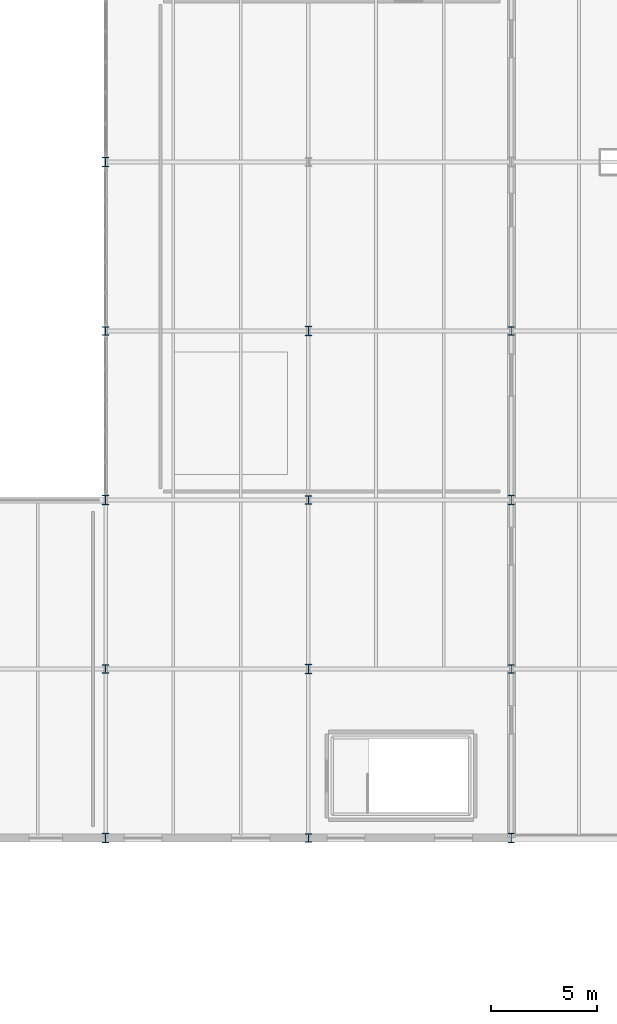
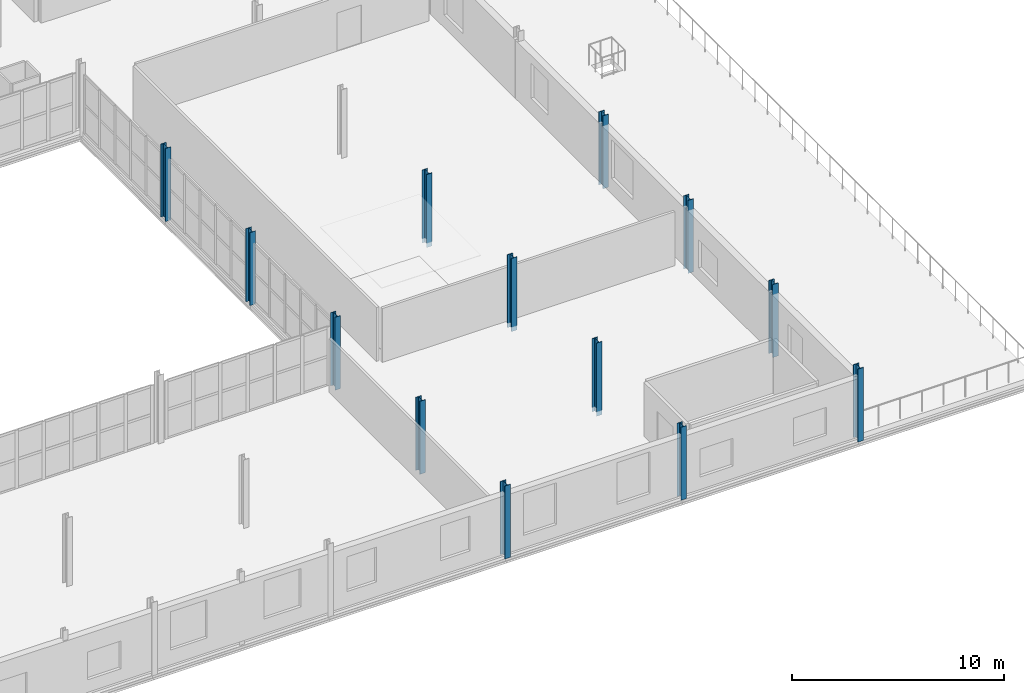
# One storey, part 20 of 85: 13 columns.
"""IFC4 building model written with IfcOpenShell, lengths in metres."""

from ifc_helpers import new_model, si_unit, direction, frame, origin, origin_2d, place, context, subcontext, project, spatial, i_section, extrude, material, material_profile, profile_set, type_object, element, save


model = new_model("IFC4")

# Units and contexts
model_context = context("Model", 3, precision=1e-05, world=origin(), true_north=direction((0.0, 1.0)))
body_context = subcontext(model_context, "Body", "Model", "MODEL_VIEW")
ifc_project = project(units=[si_unit("LENGTHUNIT", "METRE"), si_unit("AREAUNIT", "SQUARE_METRE"), si_unit("VOLUMEUNIT", "CUBIC_METRE"), si_unit("PLANEANGLEUNIT", "RADIAN"), si_unit("MASSUNIT", "GRAM", prefix="KILO")], contexts=[model_context])

# Site, building, storey
site_placement = place(None, origin())
site = spatial("IfcSite", under=ifc_project, at=site_placement, CompositionType="ELEMENT")
building_placement = place(site_placement, origin())
building = spatial("IfcBuilding", under=site, at=building_placement, Name="Alderhovde Museum", CompositionType="ELEMENT")
storey_placement = place(building_placement, frame((0.0, 0.0, 8.699951171875)))
storey = spatial("IfcBuildingStorey", under=building, at=storey_placement, Name="L02", CompositionType="ELEMENT", Elevation=8.699951171875)

# Columns
ifc_material_1 = material(Name="Steel S355J2", Category="steel")
ifc_material_profile_1 = material_profile(ifc_material_1, i_section(OverallWidth=0.300048828125, OverallDepth=0.39990234375, WebThickness=0.013427734375, FlangeThickness=0.02392578125, FilletRadius=0.027099609375, at=origin_2d()), Name="HEB 400")
ifc_profile_set_1 = profile_set([ifc_material_profile_1], Name="Steel S355J2")
column_type_1 = type_object("IfcColumnType", Name="COL-HEB400", PredefinedType="COLUMN", material=ifc_profile_set_1)
for number, where, z_axis, x_axis, name in (
    (1, (144.0, 40.0, -0.260009765625), (0.0, 0.0, 1.0), (1.0, 0.0, 0.0), "L02 Column (144.0, 40.0)"),
    (2, (144.0, 56.0, -0.260009765625), (0.0, 0.0, 1.0), (1.0, 0.0, 0.0), "L02 Column (144.0, 56.0)"),
    (3, (153.60009765625, 32.0, -0.260009765625), (0.0, 0.0, 1.0), (1.0, 0.0, 0.0), "L02 Column (153.6, 32.0)"),
    (4, (153.60009765625, 48.0, -0.260009765625), (0.0, 0.0, 1.0), (1.0, 0.0, 0.0), "L02 Column (153.6, 48.0)"),
    (5, (163.199951171875, 40.0, -0.260009765625), (0.0, 0.0, 1.0), (1.0, 0.0, 0.0), "L02 Column (163.2, 40.0)"),
    (6, (163.199951171875, 56.0, -0.260009765625), (0.0, 0.0, 1.0), (1.0, 0.0, 0.0), "L02 Column (163.2, 56.0)"),
):
    element("IfcColumn", number, at=place(storey_placement, frame(where, z_axis=z_axis, x_axis=x_axis)), inside=storey, type_object=column_type_1, Name=name, PredefinedType="COLUMN", context=body_context, shape_type="SweptSolid", body=[
        extrude(i_section(OverallWidth=0.300048828125, OverallDepth=0.39990234375, WebThickness=0.013427734375, FlangeThickness=0.02392578125, FilletRadius=0.027099609375, at=origin_2d()), origin(), (0.0, 0.0, 1.0), 4.199951171875),
    ])
ifc_material_2 = material(Name="Steel S355J2", Category="steel")
ifc_material_profile_2 = material_profile(ifc_material_2, i_section(OverallWidth=0.300048828125, OverallDepth=0.449951171875, WebThickness=0.013916015625, FlangeThickness=0.02587890625, FilletRadius=0.027099609375, at=origin_2d()), Name="HEB 450")
ifc_profile_set_2 = profile_set([ifc_material_profile_2], Name="Steel S355J2")
column_type_2 = type_object("IfcColumnType", Name="COL-HEB450", PredefinedType="COLUMN", material=ifc_profile_set_2)
for number, where, z_axis, x_axis, name in (
    (7, (144.0, 32.0, -0.260009765625), (0.0, 0.0, 1.0), (1.0, 0.0, 0.0), "L02 Column (144.0, 32.0)"),
    (8, (144.0, 48.0, -0.260009765625), (0.0, 0.0, 1.0), (1.0, 0.0, 0.0), "L02 Column (144.0, 48.0)"),
    (9, (144.0, 64.0, -0.260009765625), (0.0, 0.0, 1.0), (1.0, 0.0, 0.0), "L02 Column (144.0, 64.0)"),
    (10, (153.60009765625, 40.0, -0.260009765625), (0.0, 0.0, 1.0), (1.0, 0.0, 0.0), "L02 Column (153.6, 40.0)"),
    (11, (153.60009765625, 56.0, -0.260009765625), (0.0, 0.0, 1.0), (1.0, 0.0, 0.0), "L02 Column (153.6, 56.0)"),
    (12, (163.199951171875, 32.0, -0.260009765625), (0.0, 0.0, 1.0), (1.0, 0.0, 0.0), "L02 Column (163.2, 32.0)"),
    (13, (163.199951171875, 48.0, -0.260009765625), (0.0, 0.0, 1.0), (1.0, 0.0, 0.0), "L02 Column (163.2, 48.0)"),
):
    element("IfcColumn", number, at=place(storey_placement, frame(where, z_axis=z_axis, x_axis=x_axis)), inside=storey, type_object=column_type_2, Name=name, PredefinedType="COLUMN", context=body_context, shape_type="SweptSolid", body=[
        extrude(i_section(OverallWidth=0.300048828125, OverallDepth=0.449951171875, WebThickness=0.013916015625, FlangeThickness=0.02587890625, FilletRadius=0.027099609375, at=origin_2d()), origin(), (0.0, 0.0, 1.0), 4.199951171875),
    ])

save(model, "model.ifc")
